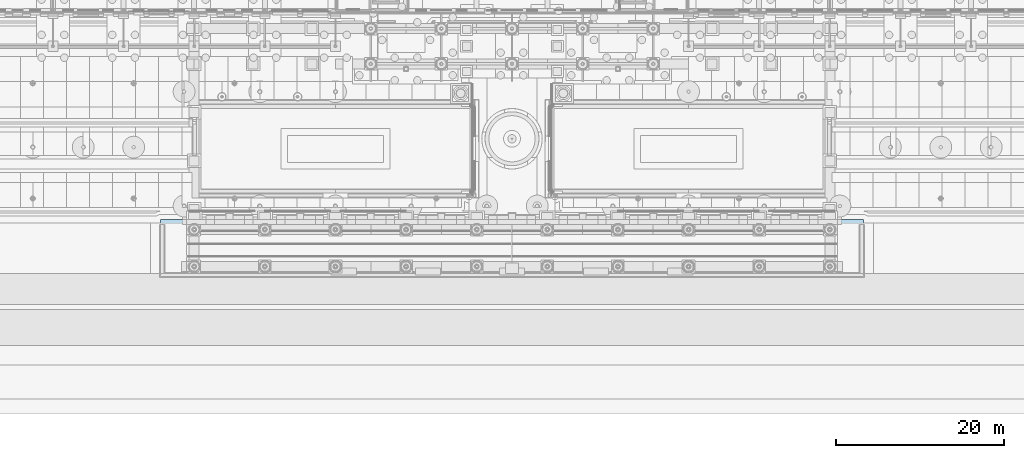
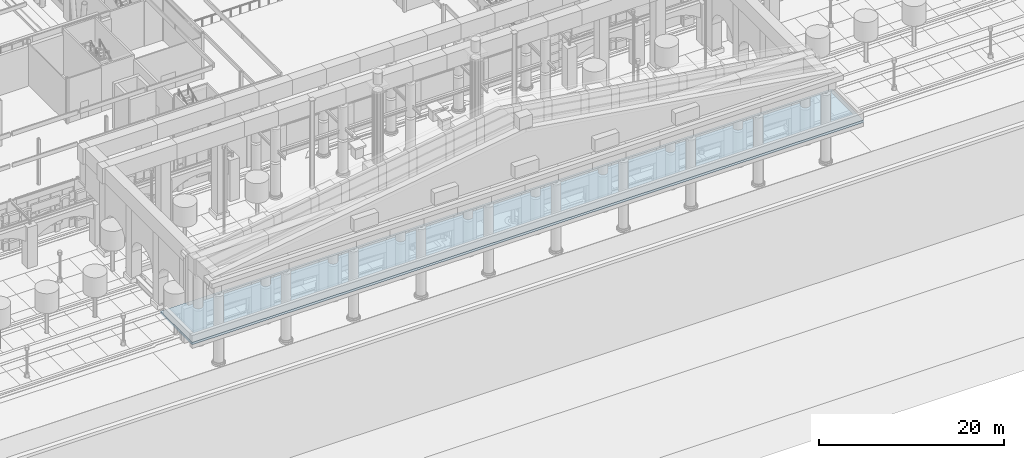
# One storey, part 75 of 222: 1 slab.
"""IFC4 building model written with IfcOpenShell, lengths in metres."""

from ifc_helpers import new_model, si_unit, direction, frame, origin, place, context, subcontext, project, spatial, polyline, outline, extrude, material, layer, layer_set, type_object, element, save


model = new_model("IFC4")

# Units and contexts
model_context = context("Model", 3, precision=1e-05, world=origin(), true_north=direction((0.0, 1.0)))
body_context = subcontext(model_context, "Body", "Model", "MODEL_VIEW")
ifc_project = project(units=[si_unit("LENGTHUNIT", "METRE"), si_unit("AREAUNIT", "SQUARE_METRE"), si_unit("VOLUMEUNIT", "CUBIC_METRE"), si_unit("PLANEANGLEUNIT", "RADIAN"), si_unit("MASSUNIT", "GRAM", prefix="KILO")], contexts=[model_context])

# Site, building, storey
site_placement = place(None, origin())
site = spatial("IfcSite", under=ifc_project, at=site_placement, CompositionType="ELEMENT")
building_placement = place(site_placement, origin())
building = spatial("IfcBuilding", under=site, at=building_placement, Name="Sava Quay Ferry Terminal", CompositionType="ELEMENT")
storey_placement = place(building_placement, origin())
storey = spatial("IfcBuildingStorey", under=building, at=storey_placement, Name="L00", CompositionType="ELEMENT", Elevation=0.0)

# Slab
ifc_material = material(Name="Concrete C30/37", Category="concrete")
ifc_layer = layer(ifc_material, 0.300048828125)
ifc_layer_set = layer_set([ifc_layer], Name="Concrete C30/37")
slab_type = type_object("IfcSlabType", Name="Porte-cochere roof 300", PredefinedType="ROOF", material=ifc_layer_set)
slab_placement = place(storey_placement, frame((0.0, 0.0, 4.5)))
element("IfcSlab", 1, at=slab_placement, inside=storey, type_object=slab_type, Name="Porte-cochere roof", PredefinedType="ROOF", context=body_context, shape_type="SweptSolid", body=[
    extrude(outline(polyline([(21.199951171875, -6.39990234375), (104.800048828125, -6.39990234375), (104.800048828125, 0.39990234375), (21.199951171875, 0.39990234375), (21.199951171875, -6.39990234375)])), origin(), (0.0, 0.0, 1.0), 0.300048828125),
])

save(model, "model.ifc")
